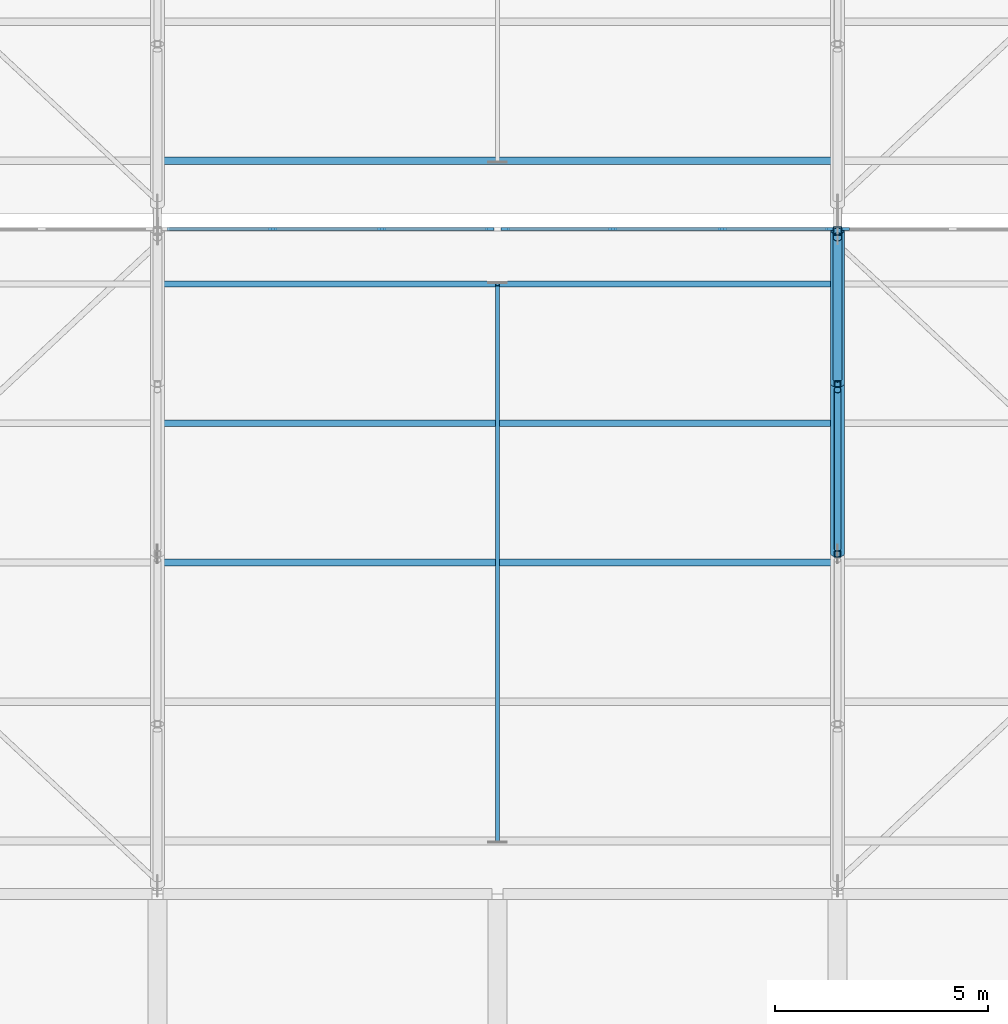
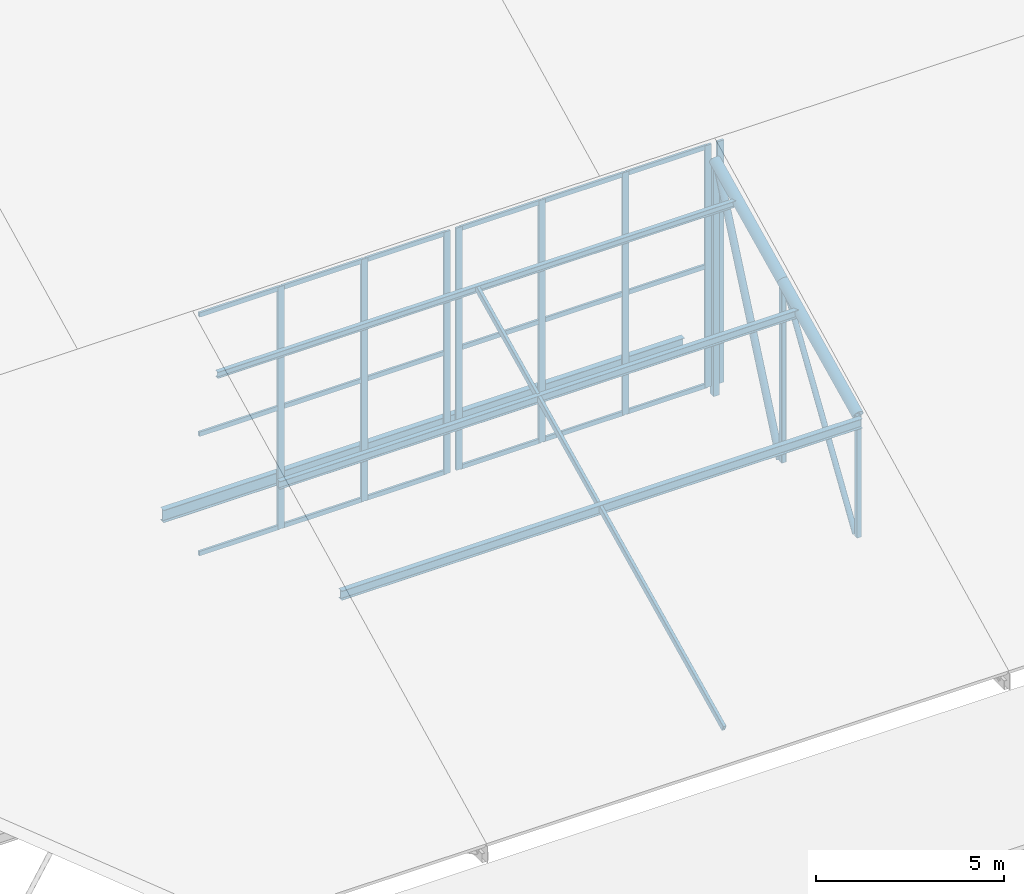
# One storey, part 74 of 137: 34 members, 4 beams, 3 elements without a shape of their own.
"""IFC4 building model written with IfcOpenShell, lengths in metres."""

from ifc_helpers import new_model, si_unit, direction, frame, origin, origin_2d, place, context, subcontext, project, spatial, rectangle, hollow_rectangle, hollow_circle, i_section, extrude, material, layer, layer_set, material_profile, profile_set, type_object, element, aggregate, save


model = new_model("IFC4")

# Units and contexts
model_context = context("Model", 3, precision=1e-05, world=origin(), true_north=direction((0.0, 1.0)))
body_context = subcontext(model_context, "Body", "Model", "MODEL_VIEW")
ifc_project = project(units=[si_unit("LENGTHUNIT", "METRE"), si_unit("AREAUNIT", "SQUARE_METRE"), si_unit("VOLUMEUNIT", "CUBIC_METRE"), si_unit("PLANEANGLEUNIT", "RADIAN"), si_unit("MASSUNIT", "GRAM", prefix="KILO")], contexts=[model_context])

# Site, building, storey
site_placement = place(None, origin())
site = spatial("IfcSite", under=ifc_project, at=site_placement, CompositionType="ELEMENT")
building_placement = place(site_placement, origin())
building = spatial("IfcBuilding", under=site, at=building_placement, Name="Jelvoka-Kovrelna Polytechnic", CompositionType="ELEMENT")
storey_placement = place(building_placement, frame((0.0, 0.0, 9.60009765625)))
storey = spatial("IfcBuildingStorey", under=building, at=storey_placement, Name="L03", CompositionType="ELEMENT", Elevation=9.60009765625)

# Members
ifc_material_1 = material(Name="Structural steel S355J2H", Category="steel")
ifc_material_profile_1 = material_profile(ifc_material_1, hollow_circle(Radius=0.084228515625, WallThickness=0.008056640625, at=origin_2d()), Name="168.3x8.0 CHS")
ifc_profile_set_1 = profile_set([ifc_material_profile_1], Name="Structural steel S355J2H")
member_type_1 = type_object("IfcMemberType", Name="Member_Brace_CHS168", PredefinedType="BRACE", material=ifc_profile_set_1)
member_1_placement = place(storey_placement, frame((152.0, 96.139892578125, 0.14990234375), z_axis=(0.0, 0.5415746521, 0.840652660855), x_axis=(-1.0, 0.0, 0.0)))
element("IfcMember", 1, at=member_1_placement, inside=storey, type_object=member_type_1, Name="Sawtooth truss 5 diagonal web 1.3", PredefinedType="BRACE", context=body_context, shape_type="SweptSolid", body=[
    extrude(hollow_circle(Radius=0.084228515625, WallThickness=0.008056640625, at=origin_2d()), origin(), (0.0, 0.0, 1.0), 6.869140625),
])
ifc_material_2 = material(Name="Structural steel S355J2H", Category="steel")
ifc_material_profile_2 = material_profile(ifc_material_2, hollow_circle(Radius=0.109619140625, WallThickness=0.008056640625, at=origin_2d()), Name="219.1x8.0 CHS")
ifc_profile_set_2 = profile_set([ifc_material_profile_2], Name="Structural steel S355J2H")
member_type_2 = type_object("IfcMemberType", Name="Member_Brace_CHS219", PredefinedType="BRACE", material=ifc_profile_set_2)
member_2_placement = place(storey_placement, frame((152.0, 100.139892578125, 0.14990234375), z_axis=(0.0, 0.404336237521, 0.914610412705), x_axis=(-1.0, 0.0, 0.0)))
element("IfcMember", 2, at=member_2_placement, inside=storey, type_object=member_type_2, Name="Sawtooth truss 5 diagonal web 1.4", PredefinedType="BRACE", context=body_context, shape_type="SweptSolid", body=[
    extrude(hollow_circle(Radius=0.109619140625, WallThickness=0.008056640625, at=origin_2d()), origin(), (0.0, 0.0, 1.0), 8.211181640625),
])
ifc_material_3 = material(Name="Structural steel S355J2H", Category="steel")
ifc_material_profile_3 = material_profile(ifc_material_3, hollow_circle(Radius=0.161865234375, WallThickness=0.010009765625, at=origin_2d()), Name="323.9x10.0 CHS")
ifc_profile_set_3 = profile_set([ifc_material_profile_3], Name="Structural steel S355J2H")
member_type_3 = type_object("IfcMemberType", Name="Member_Chord_CHS324", PredefinedType="CHORD", material=ifc_profile_set_3)
member_3_placement = place(storey_placement, frame((152.0, 96.0, 4.076416015625), z_axis=(0.0, 0.900820911068, 0.434190840741), x_axis=(-1.0, 0.0, 0.0)))
element("IfcMember", 3, at=member_3_placement, inside=storey, type_object=member_type_3, Name="Sawtooth truss 5 top chord 1.3", PredefinedType="CHORD", context=body_context, shape_type="SweptSolid", body=[
    extrude(hollow_circle(Radius=0.161865234375, WallThickness=0.010009765625, at=origin_2d()), origin(), (0.0, 0.0, 1.0), 4.4404296875),
])
member_4_placement = place(storey_placement, frame((152.0, 100.0, 6.00439453125), z_axis=(0.0, 0.900784896778, 0.434265552095), x_axis=(-1.0, 0.0, 0.0)))
element("IfcMember", 4, at=member_4_placement, inside=storey, type_object=member_type_3, Name="Sawtooth truss 5 top chord 1.4", PredefinedType="CHORD", context=body_context, shape_type="SweptSolid", body=[
    extrude(hollow_circle(Radius=0.161865234375, WallThickness=0.010009765625, at=origin_2d()), origin(), (0.0, 0.0, 1.0), 3.99658203125),
])
ifc_material_4 = material(Name="Structural steel S355J2H", Category="steel")
ifc_material_profile_4 = material_profile(ifc_material_4, hollow_rectangle(XDim=0.14990234375, YDim=0.14990234375, WallThickness=0.008056640625, InnerFilletRadius=0.008056640625, OuterFilletRadius=0.011962890625, at=origin_2d()), Name="150x150x8.0 SHS")
ifc_profile_set_4 = profile_set([ifc_material_profile_4], Name="Structural steel S355J2H")
member_type_4 = type_object("IfcMemberType", Name="Member_Post_SHS150", PredefinedType="POST", material=ifc_profile_set_4)
member_5_placement = place(storey_placement, frame((152.0, 96.0, 0.14990234375), z_axis=(0.0, 0.0, 1.0), x_axis=(1.0, 0.0, 0.0)))
element("IfcMember", 5, at=member_5_placement, inside=storey, type_object=member_type_4, Name="Sawtooth truss 5 web post 1.3", PredefinedType="POST", context=body_context, shape_type="SweptSolid", body=[
    extrude(hollow_rectangle(XDim=0.14990234375, YDim=0.14990234375, WallThickness=0.008056640625, InnerFilletRadius=0.008056640625, OuterFilletRadius=0.011962890625, at=origin_2d()), origin(), (0.0, 0.0, 1.0), 3.926513671875),
])
member_6_placement = place(storey_placement, frame((152.0, 100.0, 0.14990234375), z_axis=(0.0, 0.0, 1.0), x_axis=(1.0, 0.0, 0.0)))
element("IfcMember", 6, at=member_6_placement, inside=storey, type_object=member_type_4, Name="Sawtooth truss 5 web post 1.4", PredefinedType="POST", context=body_context, shape_type="SweptSolid", body=[
    extrude(hollow_rectangle(XDim=0.14990234375, YDim=0.14990234375, WallThickness=0.008056640625, InnerFilletRadius=0.008056640625, OuterFilletRadius=0.011962890625, at=origin_2d()), origin(), (0.0, 0.0, 1.0), 5.8544921875),
])
ifc_material_5 = material(Name="Structural steel S355J2H", Category="steel")
ifc_material_profile_5 = material_profile(ifc_material_5, hollow_rectangle(XDim=0.199951171875, YDim=0.199951171875, WallThickness=0.010009765625, InnerFilletRadius=0.010009765625, OuterFilletRadius=0.014892578125, at=origin_2d()), Name="200x200x10.0 SHS")
ifc_profile_set_5 = profile_set([ifc_material_profile_5], Name="Structural steel S355J2H")
member_type_5 = type_object("IfcMemberType", Name="Member_Post_SHS200", PredefinedType="POST", material=ifc_profile_set_5)
member_7_placement = place(storey_placement, frame((152.0, 103.60009765625, 0.14990234375), z_axis=(0.0, 0.0, 1.0), x_axis=(1.0, 0.0, 0.0)))
element("IfcMember", 7, at=member_7_placement, inside=storey, type_object=member_type_5, Name="Sawtooth truss 5 web post 1.5", PredefinedType="POST", context=body_context, shape_type="SweptSolid", body=[
    extrude(hollow_rectangle(XDim=0.199951171875, YDim=0.199951171875, WallThickness=0.010009765625, InnerFilletRadius=0.010009765625, OuterFilletRadius=0.014892578125, at=origin_2d()), origin(), (0.0, 0.0, 1.0), 7.590087890625),
])
ifc_material_6 = material(Name="Structural steel S355J2H", Category="steel")
ifc_material_profile_6 = material_profile(ifc_material_6, hollow_rectangle(XDim=0.10009765625, YDim=0.199951171875, WallThickness=0.008056640625, InnerFilletRadius=0.008056640625, OuterFilletRadius=0.011962890625, at=origin_2d()), Name="200x100x8.0 RHS")
ifc_profile_set_6 = profile_set([ifc_material_profile_6], Name="Structural steel S355J2H")
member_type_6 = type_object("IfcMemberType", Name="Member_Rafter_RHS200", PredefinedType="RAFTER", material=ifc_profile_set_6)
member_8_placement = place(storey_placement, frame((144.0, 89.248046875, 0.821533203125), z_axis=(0.0, 0.900805023058, 0.434223802243), x_axis=(-1.0, 0.0, 0.0)))
element("IfcMember", 8, at=member_8_placement, inside=storey, type_object=member_type_6, Name="Sawtooth mid-bay secondary rafter 4.1", PredefinedType="RAFTER", context=body_context, shape_type="SweptSolid", body=[
    extrude(hollow_rectangle(XDim=0.10009765625, YDim=0.199951171875, WallThickness=0.008056640625, InnerFilletRadius=0.008056640625, OuterFilletRadius=0.011962890625, at=origin_2d()), origin(), (0.0, 0.0, 1.0), 14.546875),
])

# Curtain wall, members
ifc_material_7 = material(Name="Anodised aluminium 6063-T6", Category="aluminium")
ifc_layer = layer(ifc_material_7, 0.199951171875)
ifc_layer_set = layer_set([ifc_layer], Name="Anodised aluminium 6063-T6")
curtain_wall_type = type_object("IfcCurtainWallType", Name="CW_Clerestory", PredefinedType="NOTDEFINED", material=ifc_layer_set)
curtain_wall_1_placement = place(storey_placement, origin())
curtain_wall_1 = element("IfcCurtainWall", 9, at=curtain_wall_1_placement, inside=storey, type_object=curtain_wall_type, Name="L03 glazed curtain wall 195", PredefinedType="NOTDEFINED")
ifc_material_8 = material(Name="Anodised aluminium 6063-T6", Category="aluminium")
ifc_material_profile_7 = material_profile(ifc_material_8, rectangle(XDim=0.070068359375, YDim=0.199951171875, at=origin_2d()), Name="ALU 70x200")
ifc_profile_set_7 = profile_set([ifc_material_profile_7], Name="Anodised aluminium 6063-T6")
member_type_7 = type_object("IfcMemberType", Name="Mullion_M-03", PredefinedType="MULLION", material=ifc_profile_set_7)
member_9_placement = place(storey_placement, frame((138.716552734375, 103.64990234375, 0.425048828125), z_axis=(0.0, 0.0, 1.0), x_axis=(0.0, 1.0, 0.0)))
member_9 = element("IfcMember", 10, at=member_9_placement, type_object=member_type_7, Name="CW-03 mullion 2", PredefinedType="MULLION", context=body_context, shape_type="SweptSolid", body=[
    extrude(rectangle(XDim=0.070068359375, YDim=0.199951171875, at=origin_2d()), origin(), (0.0, 0.0, 1.0), 7.85009765625),
])
member_10_placement = place(storey_placement, frame((141.283447265625, 103.64990234375, 0.425048828125), z_axis=(0.0, 0.0, 1.0), x_axis=(0.0, 1.0, 0.0)))
member_10 = element("IfcMember", 11, at=member_10_placement, type_object=member_type_7, Name="CW-03 mullion 3", PredefinedType="MULLION", context=body_context, shape_type="SweptSolid", body=[
    extrude(rectangle(XDim=0.070068359375, YDim=0.199951171875, at=origin_2d()), origin(), (0.0, 0.0, 1.0), 7.85009765625),
])
member_11_placement = place(storey_placement, frame((143.81494140625, 103.64990234375, 0.425048828125), z_axis=(0.0, 0.0, 1.0), x_axis=(0.0, 1.0, 0.0)))
member_11 = element("IfcMember", 12, at=member_11_placement, type_object=member_type_7, Name="CW-03 mullion 4", PredefinedType="MULLION", context=body_context, shape_type="SweptSolid", body=[
    extrude(rectangle(XDim=0.070068359375, YDim=0.199951171875, at=origin_2d()), origin(), (0.0, 0.0, 1.0), 7.85009765625),
])

curtain_wall_2_placement = place(storey_placement, origin())
curtain_wall_2 = element("IfcCurtainWall", 13, at=curtain_wall_2_placement, inside=storey, type_object=curtain_wall_type, Name="L03 glazed curtain wall 197", PredefinedType="NOTDEFINED")
member_12_placement = place(storey_placement, frame((144.18505859375, 103.64990234375, 0.425048828125), z_axis=(0.0, 0.0, 1.0), x_axis=(0.0, 1.0, 0.0)))
member_12 = element("IfcMember", 14, at=member_12_placement, type_object=member_type_7, Name="CW-03 mullion 1", PredefinedType="MULLION", context=body_context, shape_type="SweptSolid", body=[
    extrude(rectangle(XDim=0.070068359375, YDim=0.199951171875, at=origin_2d()), origin(), (0.0, 0.0, 1.0), 7.85009765625),
])
member_13_placement = place(storey_placement, frame((146.716552734375, 103.64990234375, 0.425048828125), z_axis=(0.0, 0.0, 1.0), x_axis=(0.0, 1.0, 0.0)))
member_13 = element("IfcMember", 15, at=member_13_placement, type_object=member_type_7, Name="CW-03 mullion 2", PredefinedType="MULLION", context=body_context, shape_type="SweptSolid", body=[
    extrude(rectangle(XDim=0.070068359375, YDim=0.199951171875, at=origin_2d()), origin(), (0.0, 0.0, 1.0), 7.85009765625),
])
member_14_placement = place(storey_placement, frame((149.283447265625, 103.64990234375, 0.425048828125), z_axis=(0.0, 0.0, 1.0), x_axis=(0.0, 1.0, 0.0)))
member_14 = element("IfcMember", 16, at=member_14_placement, type_object=member_type_7, Name="CW-03 mullion 3", PredefinedType="MULLION", context=body_context, shape_type="SweptSolid", body=[
    extrude(rectangle(XDim=0.070068359375, YDim=0.199951171875, at=origin_2d()), origin(), (0.0, 0.0, 1.0), 7.85009765625),
])
member_15_placement = place(storey_placement, frame((151.81494140625, 103.64990234375, 0.425048828125), z_axis=(0.0, 0.0, 1.0), x_axis=(0.0, 1.0, 0.0)))
member_15 = element("IfcMember", 17, at=member_15_placement, type_object=member_type_7, Name="CW-03 mullion 4", PredefinedType="MULLION", context=body_context, shape_type="SweptSolid", body=[
    extrude(rectangle(XDim=0.070068359375, YDim=0.199951171875, at=origin_2d()), origin(), (0.0, 0.0, 1.0), 7.85009765625),
])

# Curtain wall, member
curtain_wall_3_placement = place(storey_placement, origin())
curtain_wall_3 = element("IfcCurtainWall", 18, at=curtain_wall_3_placement, inside=storey, type_object=curtain_wall_type, Name="L03 glazed curtain wall 199", PredefinedType="NOTDEFINED")
member_16_placement = place(storey_placement, frame((152.18505859375, 103.64990234375, 0.425048828125), z_axis=(0.0, 0.0, 1.0), x_axis=(0.0, 1.0, 0.0)))
member_16 = element("IfcMember", 19, at=member_16_placement, type_object=member_type_7, Name="CW-03 mullion 1", PredefinedType="MULLION", context=body_context, shape_type="SweptSolid", body=[
    extrude(rectangle(XDim=0.070068359375, YDim=0.199951171875, at=origin_2d()), origin(), (0.0, 0.0, 1.0), 7.85009765625),
])
aggregate(curtain_wall_3, [member_16])

# Beams
ifc_material_9 = material(Name="Structural steel S355JR", Category="steel")
ifc_material_profile_8 = material_profile(ifc_material_9, i_section(OverallWidth=0.13330078125, OverallDepth=0.203125, WebThickness=0.005615234375, FlangeThickness=0.0078125, FilletRadius=0.007568359375, at=origin_2d()), Name="203x133x25 UB")
ifc_profile_set_8 = profile_set([ifc_material_profile_8], Name="Structural steel S355JR")
beam_type_1 = type_object("IfcBeamType", Name="Purlin_Steel_UB203", PredefinedType="JOIST", material=ifc_profile_set_8)
beam_1_placement = place(storey_placement, frame((136.02001953125, 102.35205078125, 7.13818359375), z_axis=(1.0, 0.0, 0.0), x_axis=(0.0, 1.0, 0.0)))
element("IfcBeam", 20, at=beam_1_placement, inside=storey, type_object=beam_type_1, Name="Sawtooth roof purlin 035", PredefinedType="JOIST", context=body_context, shape_type="SweptSolid", body=[
    extrude(i_section(OverallWidth=0.13330078125, OverallDepth=0.203125, WebThickness=0.005615234375, FlangeThickness=0.0078125, FilletRadius=0.007568359375, at=origin_2d()), origin(), (0.0, 0.0, 1.0), 15.9599609375),
])
ifc_material_10 = material(Name="Structural steel S355JR", Category="steel")
ifc_material_profile_9 = material_profile(ifc_material_10, i_section(OverallWidth=0.14599609375, OverallDepth=0.25146484375, WebThickness=0.006103515625, FlangeThickness=0.008544921875, FilletRadius=0.007568359375, at=origin_2d()), Name="254x146x31 UB")
ifc_profile_set_9 = profile_set([ifc_material_profile_9], Name="Structural steel S355JR")
beam_type_2 = type_object("IfcBeamType", Name="Purlin_Steel_UB254", PredefinedType="JOIST", material=ifc_profile_set_9)
beam_2_placement = place(storey_placement, frame((136.02001953125, 99.075927734375, 5.55908203125), z_axis=(1.0, 0.0, 0.0), x_axis=(0.0, 1.0, 0.0)))
element("IfcBeam", 21, at=beam_2_placement, inside=storey, type_object=beam_type_2, Name="Sawtooth roof purlin 034", PredefinedType="JOIST", context=body_context, shape_type="SweptSolid", body=[
    extrude(i_section(OverallWidth=0.14599609375, OverallDepth=0.25146484375, WebThickness=0.006103515625, FlangeThickness=0.008544921875, FilletRadius=0.007568359375, at=origin_2d()), origin(), (0.0, 0.0, 1.0), 15.9599609375),
])
ifc_material_11 = material(Name="Structural steel S355JR", Category="steel")
ifc_material_profile_10 = material_profile(ifc_material_11, i_section(OverallWidth=0.1650390625, OverallDepth=0.303466796875, WebThickness=0.006103515625, FlangeThickness=0.01025390625, FilletRadius=0.0087890625, at=origin_2d()), Name="305x165x40 UB")
ifc_profile_set_10 = profile_set([ifc_material_profile_10], Name="Structural steel S355JR")
beam_type_3 = type_object("IfcBeamType", Name="Purlin_Steel_UB305", PredefinedType="JOIST", material=ifc_profile_set_10)
beam_3_placement = place(storey_placement, frame((136.02001953125, 95.800048828125, 3.97998046875), z_axis=(1.0, 0.0, 0.0), x_axis=(0.0, 1.0, 0.0)))
element("IfcBeam", 22, at=beam_3_placement, inside=storey, type_object=beam_type_3, Name="Sawtooth roof purlin 033", PredefinedType="JOIST", context=body_context, shape_type="SweptSolid", body=[
    extrude(i_section(OverallWidth=0.1650390625, OverallDepth=0.303466796875, WebThickness=0.006103515625, FlangeThickness=0.01025390625, FilletRadius=0.0087890625, at=origin_2d()), origin(), (0.0, 0.0, 1.0), 15.9599609375),
])
ifc_material_12 = material(Name="Structural steel S355JR", Category="steel")
ifc_material_profile_11 = material_profile(ifc_material_12, i_section(OverallWidth=0.177978515625, OverallDepth=0.406494140625, WebThickness=0.0078125, FlangeThickness=0.0126953125, FilletRadius=0.01025390625, at=origin_2d()), Name="406x178x60 UB")
ifc_profile_set_11 = profile_set([ifc_material_profile_11], Name="Structural steel S355JR")
beam_type_4 = type_object("IfcBeamType", Name="Purlin_Steel_UB406", PredefinedType="JOIST", material=ifc_profile_set_11)
beam_4_placement = place(storey_placement, frame((136.02001953125, 105.248046875, 0.821533203125), z_axis=(1.0, 0.0, 0.0), x_axis=(0.0, 1.0, 0.0)))
element("IfcBeam", 23, at=beam_4_placement, inside=storey, type_object=beam_type_4, Name="Sawtooth roof purlin 036", PredefinedType="JOIST", context=body_context, shape_type="SweptSolid", body=[
    extrude(i_section(OverallWidth=0.177978515625, OverallDepth=0.406494140625, WebThickness=0.0078125, FlangeThickness=0.0126953125, FilletRadius=0.01025390625, at=origin_2d()), origin(), (0.0, 0.0, 1.0), 15.9599609375),
])

# Member
ifc_material_13 = material(Name="Anodised aluminium 6063-T6", Category="aluminium")
ifc_material_profile_12 = material_profile(ifc_material_13, rectangle(XDim=0.070068359375, YDim=0.14501953125, at=origin_2d()), Name="ALU 70x145")
ifc_profile_set_12 = profile_set([ifc_material_profile_12], Name="Anodised aluminium 6063-T6")
member_type_8 = type_object("IfcMemberType", Name="Transom_T-03", PredefinedType="USERDEFINED", material=ifc_profile_set_12)
member_17_placement = place(storey_placement, frame((136.219970703125, 103.64990234375, 0.48486328125), z_axis=(1.0, 0.0, 0.0), x_axis=(0.0, 1.0, 0.0)))
member_17 = element("IfcMember", 24, at=member_17_placement, type_object=member_type_8, Name="CW-03 transom 1.1", ObjectType="TRANSOM", PredefinedType="USERDEFINED", context=body_context, shape_type="SweptSolid", body=[
    extrude(rectangle(XDim=0.070068359375, YDim=0.14501953125, at=origin_2d()), origin(), (0.0, 0.0, 1.0), 2.461669921875),
])

member_18_placement = place(storey_placement, frame((136.219970703125, 103.64990234375, 4.349853515625), z_axis=(1.0, 0.0, 0.0), x_axis=(0.0, 1.0, 0.0)))
member_18 = element("IfcMember", 25, at=member_18_placement, type_object=member_type_8, Name="CW-03 transom 1.2", ObjectType="TRANSOM", PredefinedType="USERDEFINED", context=body_context, shape_type="SweptSolid", body=[
    extrude(rectangle(XDim=0.070068359375, YDim=0.14501953125, at=origin_2d()), origin(), (0.0, 0.0, 1.0), 2.461669921875),
])

member_19_placement = place(storey_placement, frame((136.219970703125, 103.64990234375, 8.21484375), z_axis=(1.0, 0.0, 0.0), x_axis=(0.0, 1.0, 0.0)))
member_19 = element("IfcMember", 26, at=member_19_placement, type_object=member_type_8, Name="CW-03 transom 1.3", ObjectType="TRANSOM", PredefinedType="USERDEFINED", context=body_context, shape_type="SweptSolid", body=[
    extrude(rectangle(XDim=0.070068359375, YDim=0.14501953125, at=origin_2d()), origin(), (0.0, 0.0, 1.0), 2.461669921875),
])

member_20_placement = place(storey_placement, frame((138.751708984375, 103.64990234375, 0.48486328125), z_axis=(1.0, 0.0, 0.0), x_axis=(0.0, 1.0, 0.0)))
member_20 = element("IfcMember", 27, at=member_20_placement, type_object=member_type_8, Name="CW-03 transom 2.1", ObjectType="TRANSOM", PredefinedType="USERDEFINED", context=body_context, shape_type="SweptSolid", body=[
    extrude(rectangle(XDim=0.070068359375, YDim=0.14501953125, at=origin_2d()), origin(), (0.0, 0.0, 1.0), 2.49658203125),
])

member_21_placement = place(storey_placement, frame((138.751708984375, 103.64990234375, 4.349853515625), z_axis=(1.0, 0.0, 0.0), x_axis=(0.0, 1.0, 0.0)))
member_21 = element("IfcMember", 28, at=member_21_placement, type_object=member_type_8, Name="CW-03 transom 2.2", ObjectType="TRANSOM", PredefinedType="USERDEFINED", context=body_context, shape_type="SweptSolid", body=[
    extrude(rectangle(XDim=0.070068359375, YDim=0.14501953125, at=origin_2d()), origin(), (0.0, 0.0, 1.0), 2.49658203125),
])

member_22_placement = place(storey_placement, frame((138.751708984375, 103.64990234375, 8.21484375), z_axis=(1.0, 0.0, 0.0), x_axis=(0.0, 1.0, 0.0)))
member_22 = element("IfcMember", 29, at=member_22_placement, type_object=member_type_8, Name="CW-03 transom 2.3", ObjectType="TRANSOM", PredefinedType="USERDEFINED", context=body_context, shape_type="SweptSolid", body=[
    extrude(rectangle(XDim=0.070068359375, YDim=0.14501953125, at=origin_2d()), origin(), (0.0, 0.0, 1.0), 2.49658203125),
])

member_23_placement = place(storey_placement, frame((141.318359375, 103.64990234375, 0.48486328125), z_axis=(1.0, 0.0, 0.0), x_axis=(0.0, 1.0, 0.0)))
member_23 = element("IfcMember", 30, at=member_23_placement, type_object=member_type_8, Name="CW-03 transom 3.1", ObjectType="TRANSOM", PredefinedType="USERDEFINED", context=body_context, shape_type="SweptSolid", body=[
    extrude(rectangle(XDim=0.070068359375, YDim=0.14501953125, at=origin_2d()), origin(), (0.0, 0.0, 1.0), 2.461669921875),
])

member_24_placement = place(storey_placement, frame((141.318359375, 103.64990234375, 4.349853515625), z_axis=(1.0, 0.0, 0.0), x_axis=(0.0, 1.0, 0.0)))
member_24 = element("IfcMember", 31, at=member_24_placement, type_object=member_type_8, Name="CW-03 transom 3.2", ObjectType="TRANSOM", PredefinedType="USERDEFINED", context=body_context, shape_type="SweptSolid", body=[
    extrude(rectangle(XDim=0.070068359375, YDim=0.14501953125, at=origin_2d()), origin(), (0.0, 0.0, 1.0), 2.461669921875),
])

member_25_placement = place(storey_placement, frame((141.318359375, 103.64990234375, 8.21484375), z_axis=(1.0, 0.0, 0.0), x_axis=(0.0, 1.0, 0.0)))
member_25 = element("IfcMember", 32, at=member_25_placement, type_object=member_type_8, Name="CW-03 transom 3.3", ObjectType="TRANSOM", PredefinedType="USERDEFINED", context=body_context, shape_type="SweptSolid", body=[
    extrude(rectangle(XDim=0.070068359375, YDim=0.14501953125, at=origin_2d()), origin(), (0.0, 0.0, 1.0), 2.461669921875),
])

aggregate(curtain_wall_1, [member_9, member_10, member_11, member_17, member_18, member_19, member_20, member_21, member_22, member_23, member_24, member_25])

member_26_placement = place(storey_placement, frame((144.219970703125, 103.64990234375, 0.48486328125), z_axis=(1.0, 0.0, 0.0), x_axis=(0.0, 1.0, 0.0)))
member_26 = element("IfcMember", 33, at=member_26_placement, type_object=member_type_8, Name="CW-03 transom 1.1", ObjectType="TRANSOM", PredefinedType="USERDEFINED", context=body_context, shape_type="SweptSolid", body=[
    extrude(rectangle(XDim=0.070068359375, YDim=0.14501953125, at=origin_2d()), origin(), (0.0, 0.0, 1.0), 2.461669921875),
])

member_27_placement = place(storey_placement, frame((144.219970703125, 103.64990234375, 4.349853515625), z_axis=(1.0, 0.0, 0.0), x_axis=(0.0, 1.0, 0.0)))
member_27 = element("IfcMember", 34, at=member_27_placement, type_object=member_type_8, Name="CW-03 transom 1.2", ObjectType="TRANSOM", PredefinedType="USERDEFINED", context=body_context, shape_type="SweptSolid", body=[
    extrude(rectangle(XDim=0.070068359375, YDim=0.14501953125, at=origin_2d()), origin(), (0.0, 0.0, 1.0), 2.461669921875),
])

member_28_placement = place(storey_placement, frame((144.219970703125, 103.64990234375, 8.21484375), z_axis=(1.0, 0.0, 0.0), x_axis=(0.0, 1.0, 0.0)))
member_28 = element("IfcMember", 35, at=member_28_placement, type_object=member_type_8, Name="CW-03 transom 1.3", ObjectType="TRANSOM", PredefinedType="USERDEFINED", context=body_context, shape_type="SweptSolid", body=[
    extrude(rectangle(XDim=0.070068359375, YDim=0.14501953125, at=origin_2d()), origin(), (0.0, 0.0, 1.0), 2.461669921875),
])

member_29_placement = place(storey_placement, frame((146.751708984375, 103.64990234375, 0.48486328125), z_axis=(1.0, 0.0, 0.0), x_axis=(0.0, 1.0, 0.0)))
member_29 = element("IfcMember", 36, at=member_29_placement, type_object=member_type_8, Name="CW-03 transom 2.1", ObjectType="TRANSOM", PredefinedType="USERDEFINED", context=body_context, shape_type="SweptSolid", body=[
    extrude(rectangle(XDim=0.070068359375, YDim=0.14501953125, at=origin_2d()), origin(), (0.0, 0.0, 1.0), 2.49658203125),
])

member_30_placement = place(storey_placement, frame((146.751708984375, 103.64990234375, 4.349853515625), z_axis=(1.0, 0.0, 0.0), x_axis=(0.0, 1.0, 0.0)))
member_30 = element("IfcMember", 37, at=member_30_placement, type_object=member_type_8, Name="CW-03 transom 2.2", ObjectType="TRANSOM", PredefinedType="USERDEFINED", context=body_context, shape_type="SweptSolid", body=[
    extrude(rectangle(XDim=0.070068359375, YDim=0.14501953125, at=origin_2d()), origin(), (0.0, 0.0, 1.0), 2.49658203125),
])

member_31_placement = place(storey_placement, frame((146.751708984375, 103.64990234375, 8.21484375), z_axis=(1.0, 0.0, 0.0), x_axis=(0.0, 1.0, 0.0)))
member_31 = element("IfcMember", 38, at=member_31_placement, type_object=member_type_8, Name="CW-03 transom 2.3", ObjectType="TRANSOM", PredefinedType="USERDEFINED", context=body_context, shape_type="SweptSolid", body=[
    extrude(rectangle(XDim=0.070068359375, YDim=0.14501953125, at=origin_2d()), origin(), (0.0, 0.0, 1.0), 2.49658203125),
])

member_32_placement = place(storey_placement, frame((149.318359375, 103.64990234375, 0.48486328125), z_axis=(1.0, 0.0, 0.0), x_axis=(0.0, 1.0, 0.0)))
member_32 = element("IfcMember", 39, at=member_32_placement, type_object=member_type_8, Name="CW-03 transom 3.1", ObjectType="TRANSOM", PredefinedType="USERDEFINED", context=body_context, shape_type="SweptSolid", body=[
    extrude(rectangle(XDim=0.070068359375, YDim=0.14501953125, at=origin_2d()), origin(), (0.0, 0.0, 1.0), 2.461669921875),
])

member_33_placement = place(storey_placement, frame((149.318359375, 103.64990234375, 4.349853515625), z_axis=(1.0, 0.0, 0.0), x_axis=(0.0, 1.0, 0.0)))
member_33 = element("IfcMember", 40, at=member_33_placement, type_object=member_type_8, Name="CW-03 transom 3.2", ObjectType="TRANSOM", PredefinedType="USERDEFINED", context=body_context, shape_type="SweptSolid", body=[
    extrude(rectangle(XDim=0.070068359375, YDim=0.14501953125, at=origin_2d()), origin(), (0.0, 0.0, 1.0), 2.461669921875),
])

member_34_placement = place(storey_placement, frame((149.318359375, 103.64990234375, 8.21484375), z_axis=(1.0, 0.0, 0.0), x_axis=(0.0, 1.0, 0.0)))
member_34 = element("IfcMember", 41, at=member_34_placement, type_object=member_type_8, Name="CW-03 transom 3.3", ObjectType="TRANSOM", PredefinedType="USERDEFINED", context=body_context, shape_type="SweptSolid", body=[
    extrude(rectangle(XDim=0.070068359375, YDim=0.14501953125, at=origin_2d()), origin(), (0.0, 0.0, 1.0), 2.461669921875),
])

aggregate(curtain_wall_2, [member_12, member_13, member_14, member_15, member_26, member_27, member_28, member_29, member_30, member_31, member_32, member_33, member_34])

save(model, "model.ifc")
